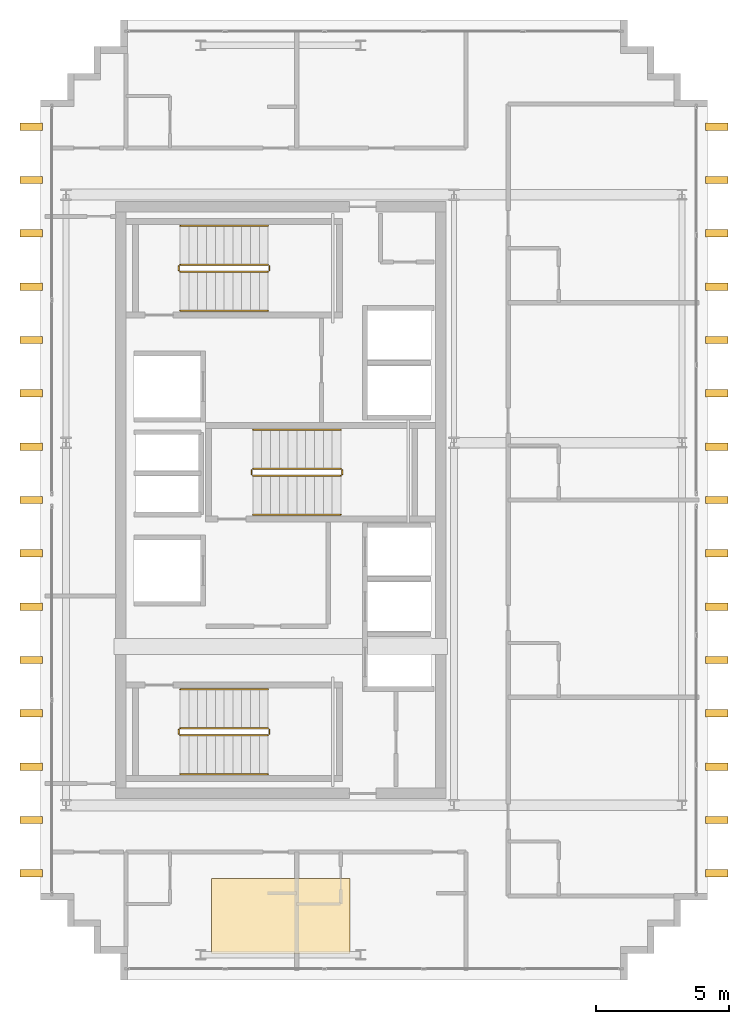
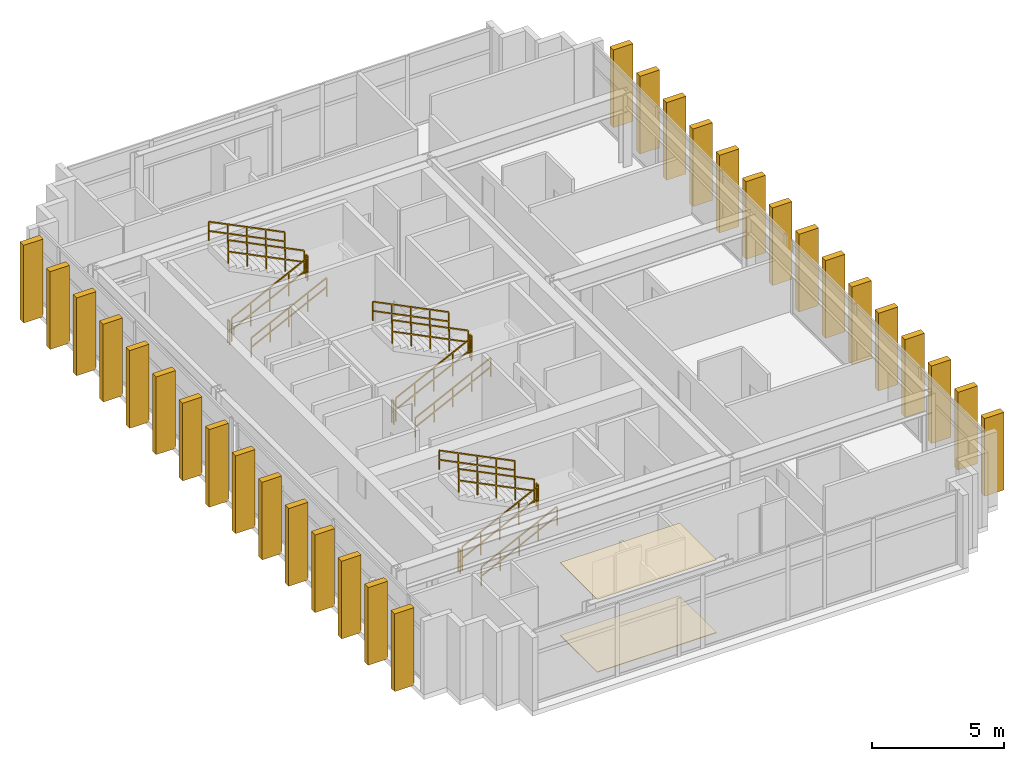
# One storey, part 15 of 15: 30 shading devices, 18 railings, 2 coverings.
"""IFC4 building model written with IfcOpenShell, lengths in metres."""

from ifc_helpers import new_model, si_unit, direction, frame, origin, origin_2d, place, context, subcontext, project, spatial, polyline, rectangle, outline, extrude, source, transform, mapped, material, layer, layer_set, type_object, element, save


model = new_model("IFC4")

# Units and contexts
model_context = context("Model", 3, precision=1e-05, world=origin(), true_north=direction((0.0, 1.0)))
body_context = subcontext(model_context, "Body", "Model", "MODEL_VIEW")
ifc_project = project(units=[si_unit("LENGTHUNIT", "METRE"), si_unit("AREAUNIT", "SQUARE_METRE"), si_unit("VOLUMEUNIT", "CUBIC_METRE"), si_unit("PLANEANGLEUNIT", "RADIAN"), si_unit("MASSUNIT", "GRAM", prefix="KILO")], contexts=[model_context])

# Site, building, storey
site_placement = place(None, origin())
site = spatial("IfcSite", under=ifc_project, at=site_placement, CompositionType="ELEMENT")
building_placement = place(site_placement, origin())
building = spatial("IfcBuilding", under=site, at=building_placement, Name="Ocotamira Hotel", CompositionType="ELEMENT")
storey_placement = place(building_placement, frame((0.0, 0.0, 283.199951171875)))
storey = spatial("IfcBuildingStorey", under=building, at=storey_placement, Name="L72", CompositionType="ELEMENT", Elevation=283.199951171875)

# Coverings
ifc_material_1 = material(Name="Perforated acoustic gypsum ceiling board", Category="gypsum")
ifc_layer_1 = layer(ifc_material_1, 0.02490234375)
ifc_layer_set_1 = layer_set([ifc_layer_1], Name="Perforated acoustic gypsum ceiling board")
covering_type_1 = type_object("IfcCoveringType", Name="COV-CEIL-25", PredefinedType="CEILING", material=ifc_layer_set_1)
covering_1_placement = place(storey_placement, frame((0.0, 0.0, 3.35498046875)))
element("IfcCovering", 1, at=covering_1_placement, inside=storey, type_object=covering_type_1, Name="L72 Acoustic Ceiling", PredefinedType="CEILING", context=body_context, shape_type="SweptSolid", body=[
    extrude(outline(polyline([(14.39990234375, 9.0), (19.60009765625, 9.0), (19.60009765625, 11.800048828125), (14.39990234375, 11.800048828125), (14.39990234375, 9.0)])), origin(), (0.0, 0.0, 1.0), 0.025146484375),
])
ifc_material_2 = material(Name="Honed desert travertine stone flooring", Category="masonry")
ifc_layer_2 = layer(ifc_material_2, 0.030029296875)
ifc_layer_set_2 = layer_set([ifc_layer_2], Name="Honed desert travertine stone flooring")
covering_type_2 = type_object("IfcCoveringType", Name="COV-FLOR-30", PredefinedType="FLOORING", material=ifc_layer_set_2)
covering_2_placement = place(storey_placement, origin())
element("IfcCovering", 2, at=covering_2_placement, inside=storey, type_object=covering_type_2, Name="L72 Honed Stone Floor Finish", PredefinedType="FLOORING", context=body_context, shape_type="SweptSolid", body=[
    extrude(outline(polyline([(14.39990234375, 9.0), (19.60009765625, 9.0), (19.60009765625, 11.800048828125), (14.39990234375, 11.800048828125), (14.39990234375, 9.0)])), origin(), (0.0, 0.0, 1.0), 0.030029296875),
])

# Railings
ifc_material_3 = material(Name="Brushed stainless steel handrail", Category="steel")
railing_type_1 = type_object("IfcRailingType", Name="RL-HAND-900", PredefinedType="HANDRAIL", material=ifc_material_3)
railing_1_placement = place(storey_placement, frame((13.22998046875, 15.719970703125, 0.327392578125)))
element("IfcRailing", 3, at=railing_1_placement, inside=storey, type_object=railing_type_1, Name="L72 ST-1 stair handrail 1", PredefinedType="HANDRAIL", context=body_context, shape_type="SweptSolid", body=[
    extrude(rectangle(XDim=0.048095703125, YDim=0.048095703125, at=origin_2d()), frame((0.0, 0.0, 0.8759765625), z_axis=(0.895920123917, 0.0, 0.444215186098), x_axis=(0.0, 1.0, 0.0)), (0.0, 0.0, 1.0), 3.683349609375),
    extrude(rectangle(XDim=0.048095703125, YDim=0.048095703125, at=origin_2d()), frame((0.0, 0.0, 0.449951171875), z_axis=(0.895920123917, 0.0, 0.444215186098), x_axis=(0.0, 1.0, 0.0)), (0.0, 0.0, 1.0), 3.683349609375),
    extrude(rectangle(XDim=0.0419921875, YDim=0.0419921875, at=origin_2d()), origin(), (0.0, 0.0, 1.0), 0.851806640625),
    extrude(rectangle(XDim=0.0419921875, YDim=0.0419921875, at=origin_2d()), frame((0.824951171875, 0.0, 0.4091796875)), (0.0, 0.0, 1.0), 0.851806640625),
    extrude(rectangle(XDim=0.0419921875, YDim=0.0419921875, at=origin_2d()), frame((1.64990234375, 0.0, 0.818115234375)), (0.0, 0.0, 1.0), 0.851806640625),
    extrude(rectangle(XDim=0.0419921875, YDim=0.0419921875, at=origin_2d()), frame((2.47509765625, 0.0, 1.22705078125)), (0.0, 0.0, 1.0), 0.851806640625),
    extrude(rectangle(XDim=0.0419921875, YDim=0.0419921875, at=origin_2d()), frame((3.300048828125, 0.0, 1.63623046875)), (0.0, 0.0, 1.0), 0.851806640625),
])
railing_2_placement = place(storey_placement, frame((16.530029296875, 18.89990234375, 2.12744140625)))
element("IfcRailing", 4, at=railing_2_placement, inside=storey, type_object=railing_type_1, Name="L72 ST-1 stair handrail 2", PredefinedType="HANDRAIL", context=body_context, shape_type="SweptSolid", body=[
    extrude(rectangle(XDim=0.048095703125, YDim=0.048095703125, at=origin_2d()), frame((0.0, 0.0, 0.8759765625), z_axis=(-0.895920123917, 0.0, 0.444215186098), x_axis=(0.0, -1.0, 0.0)), (0.0, 0.0, 1.0), 3.683349609375),
    extrude(rectangle(XDim=0.048095703125, YDim=0.048095703125, at=origin_2d()), frame((0.0, 0.0, 0.449951171875), z_axis=(-0.895920123917, 0.0, 0.444215186098), x_axis=(0.0, -1.0, 0.0)), (0.0, 0.0, 1.0), 3.683349609375),
    extrude(rectangle(XDim=0.0419921875, YDim=0.0419921875, at=origin_2d()), origin(), (0.0, 0.0, 1.0), 0.851806640625),
    extrude(rectangle(XDim=0.0419921875, YDim=0.0419921875, at=origin_2d()), frame((-0.824951171875, 0.0, 0.4091796875)), (0.0, 0.0, 1.0), 0.851806640625),
    extrude(rectangle(XDim=0.0419921875, YDim=0.0419921875, at=origin_2d()), frame((-1.64990234375, 0.0, 0.818115234375)), (0.0, 0.0, 1.0), 0.851806640625),
    extrude(rectangle(XDim=0.0419921875, YDim=0.0419921875, at=origin_2d()), frame((-2.47509765625, 0.0, 1.22705078125)), (0.0, 0.0, 1.0), 0.851806640625),
    extrude(rectangle(XDim=0.0419921875, YDim=0.0419921875, at=origin_2d()), frame((-3.300048828125, 0.0, 1.63623046875)), (0.0, 0.0, 1.0), 0.851806640625),
])
railing_3_placement = place(storey_placement, frame((13.22998046875, 33.10009765625, 0.327392578125)))
element("IfcRailing", 5, at=railing_3_placement, inside=storey, type_object=railing_type_1, Name="L72 ST-2 stair handrail 1", PredefinedType="HANDRAIL", context=body_context, shape_type="SweptSolid", body=[
    extrude(rectangle(XDim=0.048095703125, YDim=0.048095703125, at=origin_2d()), frame((0.0, 0.0, 0.8759765625), z_axis=(0.895920123917, 0.0, 0.444215186098), x_axis=(0.0, 1.0, 0.0)), (0.0, 0.0, 1.0), 3.683349609375),
    extrude(rectangle(XDim=0.048095703125, YDim=0.048095703125, at=origin_2d()), frame((0.0, 0.0, 0.449951171875), z_axis=(0.895920123917, 0.0, 0.444215186098), x_axis=(0.0, 1.0, 0.0)), (0.0, 0.0, 1.0), 3.683349609375),
    extrude(rectangle(XDim=0.0419921875, YDim=0.0419921875, at=origin_2d()), origin(), (0.0, 0.0, 1.0), 0.851806640625),
    extrude(rectangle(XDim=0.0419921875, YDim=0.0419921875, at=origin_2d()), frame((0.824951171875, 0.0, 0.4091796875)), (0.0, 0.0, 1.0), 0.851806640625),
    extrude(rectangle(XDim=0.0419921875, YDim=0.0419921875, at=origin_2d()), frame((1.64990234375, 0.0, 0.818115234375)), (0.0, 0.0, 1.0), 0.851806640625),
    extrude(rectangle(XDim=0.0419921875, YDim=0.0419921875, at=origin_2d()), frame((2.47509765625, 0.0, 1.22705078125)), (0.0, 0.0, 1.0), 0.851806640625),
    extrude(rectangle(XDim=0.0419921875, YDim=0.0419921875, at=origin_2d()), frame((3.300048828125, 0.0, 1.63623046875)), (0.0, 0.0, 1.0), 0.851806640625),
])
railing_4_placement = place(storey_placement, frame((16.530029296875, 36.280029296875, 2.12744140625)))
element("IfcRailing", 6, at=railing_4_placement, inside=storey, type_object=railing_type_1, Name="L72 ST-2 stair handrail 2", PredefinedType="HANDRAIL", context=body_context, shape_type="SweptSolid", body=[
    extrude(rectangle(XDim=0.048095703125, YDim=0.048095703125, at=origin_2d()), frame((0.0, 0.0, 0.8759765625), z_axis=(-0.895920123917, 0.0, 0.444215186098), x_axis=(0.0, -1.0, 0.0)), (0.0, 0.0, 1.0), 3.683349609375),
    extrude(rectangle(XDim=0.048095703125, YDim=0.048095703125, at=origin_2d()), frame((0.0, 0.0, 0.449951171875), z_axis=(-0.895920123917, 0.0, 0.444215186098), x_axis=(0.0, -1.0, 0.0)), (0.0, 0.0, 1.0), 3.683349609375),
    extrude(rectangle(XDim=0.0419921875, YDim=0.0419921875, at=origin_2d()), origin(), (0.0, 0.0, 1.0), 0.851806640625),
    extrude(rectangle(XDim=0.0419921875, YDim=0.0419921875, at=origin_2d()), frame((-0.824951171875, 0.0, 0.4091796875)), (0.0, 0.0, 1.0), 0.851806640625),
    extrude(rectangle(XDim=0.0419921875, YDim=0.0419921875, at=origin_2d()), frame((-1.64990234375, 0.0, 0.818115234375)), (0.0, 0.0, 1.0), 0.851806640625),
    extrude(rectangle(XDim=0.0419921875, YDim=0.0419921875, at=origin_2d()), frame((-2.47509765625, 0.0, 1.22705078125)), (0.0, 0.0, 1.0), 0.851806640625),
    extrude(rectangle(XDim=0.0419921875, YDim=0.0419921875, at=origin_2d()), frame((-3.300048828125, 0.0, 1.63623046875)), (0.0, 0.0, 1.0), 0.851806640625),
])
railing_5_placement = place(storey_placement, frame((15.9599609375, 25.449951171875, 0.327392578125)))
element("IfcRailing", 7, at=railing_5_placement, inside=storey, type_object=railing_type_1, Name="L72 ST-3 stair handrail 1", PredefinedType="HANDRAIL", context=body_context, shape_type="SweptSolid", body=[
    extrude(rectangle(XDim=0.048095703125, YDim=0.048095703125, at=origin_2d()), frame((0.0, 0.0, 0.8759765625), z_axis=(0.895920123917, 0.0, 0.444215186098), x_axis=(0.0, 1.0, 0.0)), (0.0, 0.0, 1.0), 3.683349609375),
    extrude(rectangle(XDim=0.048095703125, YDim=0.048095703125, at=origin_2d()), frame((0.0, 0.0, 0.449951171875), z_axis=(0.895920123917, 0.0, 0.444215186098), x_axis=(0.0, 1.0, 0.0)), (0.0, 0.0, 1.0), 3.683349609375),
    extrude(rectangle(XDim=0.0419921875, YDim=0.0419921875, at=origin_2d()), origin(), (0.0, 0.0, 1.0), 0.851806640625),
    extrude(rectangle(XDim=0.0419921875, YDim=0.0419921875, at=origin_2d()), frame((0.824951171875, 0.0, 0.4091796875)), (0.0, 0.0, 1.0), 0.851806640625),
    extrude(rectangle(XDim=0.0419921875, YDim=0.0419921875, at=origin_2d()), frame((1.64990234375, 0.0, 0.818115234375)), (0.0, 0.0, 1.0), 0.851806640625),
    extrude(rectangle(XDim=0.0419921875, YDim=0.0419921875, at=origin_2d()), frame((2.47509765625, 0.0, 1.22705078125)), (0.0, 0.0, 1.0), 0.851806640625),
    extrude(rectangle(XDim=0.0419921875, YDim=0.0419921875, at=origin_2d()), frame((3.300048828125, 0.0, 1.63623046875)), (0.0, 0.0, 1.0), 0.851806640625),
])
railing_6_placement = place(storey_placement, frame((19.260009765625, 28.6298828125, 2.12744140625)))
element("IfcRailing", 8, at=railing_6_placement, inside=storey, type_object=railing_type_1, Name="L72 ST-3 stair handrail 2", PredefinedType="HANDRAIL", context=body_context, shape_type="SweptSolid", body=[
    extrude(rectangle(XDim=0.048095703125, YDim=0.048095703125, at=origin_2d()), frame((0.0, 0.0, 0.8759765625), z_axis=(-0.895920123917, 0.0, 0.444215186098), x_axis=(0.0, -1.0, 0.0)), (0.0, 0.0, 1.0), 3.683349609375),
    extrude(rectangle(XDim=0.048095703125, YDim=0.048095703125, at=origin_2d()), frame((0.0, 0.0, 0.449951171875), z_axis=(-0.895920123917, 0.0, 0.444215186098), x_axis=(0.0, -1.0, 0.0)), (0.0, 0.0, 1.0), 3.683349609375),
    extrude(rectangle(XDim=0.0419921875, YDim=0.0419921875, at=origin_2d()), origin(), (0.0, 0.0, 1.0), 0.851806640625),
    extrude(rectangle(XDim=0.0419921875, YDim=0.0419921875, at=origin_2d()), frame((-0.824951171875, 0.0, 0.4091796875)), (0.0, 0.0, 1.0), 0.851806640625),
    extrude(rectangle(XDim=0.0419921875, YDim=0.0419921875, at=origin_2d()), frame((-1.64990234375, 0.0, 0.818115234375)), (0.0, 0.0, 1.0), 0.851806640625),
    extrude(rectangle(XDim=0.0419921875, YDim=0.0419921875, at=origin_2d()), frame((-2.47509765625, 0.0, 1.22705078125)), (0.0, 0.0, 1.0), 0.851806640625),
    extrude(rectangle(XDim=0.0419921875, YDim=0.0419921875, at=origin_2d()), frame((-3.300048828125, 0.0, 1.63623046875)), (0.0, 0.0, 1.0), 0.851806640625),
])
ifc_material_4 = material(Name="Painted steel stair guardrail", Category="steel")
railing_type_2 = type_object("IfcRailingType", Name="RL-STAIR-1100", PredefinedType="GUARDRAIL", material=ifc_material_4)
railing_7_placement = place(storey_placement, frame((13.22998046875, 17.179931640625, 0.16357421875)))
element("IfcRailing", 9, at=railing_7_placement, inside=storey, type_object=railing_type_2, Name="L72 ST-1 stair guard 1", PredefinedType="GUARDRAIL", context=body_context, shape_type="SweptSolid", body=[
    extrude(rectangle(XDim=0.048095703125, YDim=0.048095703125, at=origin_2d()), frame((0.0, 0.0, 1.076171875), z_axis=(0.895893744519, 0.0, 0.4442683857), x_axis=(0.0, 1.0, 0.0)), (0.0, 0.0, 1.0), 3.68359375),
    extrude(rectangle(XDim=0.048095703125, YDim=0.048095703125, at=origin_2d()), frame((0.0, 0.0, 0.550048828125), z_axis=(0.895893744519, 0.0, 0.4442683857), x_axis=(0.0, 1.0, 0.0)), (0.0, 0.0, 1.0), 3.68359375),
    extrude(rectangle(XDim=0.0419921875, YDim=0.0419921875, at=origin_2d()), origin(), (0.0, 0.0, 1.0), 1.052001953125),
    extrude(rectangle(XDim=0.0419921875, YDim=0.0419921875, at=origin_2d()), frame((0.824951171875, 0.0, 0.4091796875)), (0.0, 0.0, 1.0), 1.052001953125),
    extrude(rectangle(XDim=0.0419921875, YDim=0.0419921875, at=origin_2d()), frame((1.64990234375, 0.0, 0.818359375)), (0.0, 0.0, 1.0), 1.052001953125),
    extrude(rectangle(XDim=0.0419921875, YDim=0.0419921875, at=origin_2d()), frame((2.47509765625, 0.0, 1.227294921875)), (0.0, 0.0, 1.0), 1.052001953125),
    extrude(rectangle(XDim=0.0419921875, YDim=0.0419921875, at=origin_2d()), frame((3.300048828125, 0.0, 1.636474609375)), (0.0, 0.0, 1.0), 1.052001953125),
])
railing_8_placement = place(storey_placement, frame((16.580078125, 17.22998046875, 1.800048828125)))
element("IfcRailing", 10, at=railing_8_placement, inside=storey, type_object=railing_type_2, Name="L72 ST-1 stair guard 2", PredefinedType="GUARDRAIL", context=body_context, shape_type="SweptSolid", body=[
    extrude(rectangle(XDim=0.048095703125, YDim=0.048095703125, at=origin_2d()), frame((0.0, 0.0, 1.076171875), z_axis=(0.0, 1.0, 0.0), x_axis=(-1.0, 0.0, 0.0)), (0.0, 0.0, 1.0), 0.159912109375),
    extrude(rectangle(XDim=0.048095703125, YDim=0.048095703125, at=origin_2d()), frame((0.0, 0.0, 0.550048828125), z_axis=(0.0, 1.0, 0.0), x_axis=(-1.0, 0.0, 0.0)), (0.0, 0.0, 1.0), 0.159912109375),
    extrude(rectangle(XDim=0.0419921875, YDim=0.0419921875, at=origin_2d()), origin(), (0.0, 0.0, 1.0), 1.052001953125),
    extrude(rectangle(XDim=0.0419921875, YDim=0.0419921875, at=origin_2d()), frame((0.0, 0.159912109375, 0.0)), (0.0, 0.0, 1.0), 1.052001953125),
])
railing_9_placement = place(storey_placement, frame((16.530029296875, 17.43994140625, 1.963623046875)))
element("IfcRailing", 11, at=railing_9_placement, inside=storey, type_object=railing_type_2, Name="L72 ST-1 stair guard 3", PredefinedType="GUARDRAIL", context=body_context, shape_type="SweptSolid", body=[
    extrude(rectangle(XDim=0.048095703125, YDim=0.048095703125, at=origin_2d()), frame((0.0, 0.0, 1.076171875), z_axis=(-0.895893744519, 0.0, 0.4442683857), x_axis=(0.0, -1.0, 0.0)), (0.0, 0.0, 1.0), 3.68359375),
    extrude(rectangle(XDim=0.048095703125, YDim=0.048095703125, at=origin_2d()), frame((0.0, 0.0, 0.550048828125), z_axis=(-0.895893744519, 0.0, 0.4442683857), x_axis=(0.0, -1.0, 0.0)), (0.0, 0.0, 1.0), 3.68359375),
    extrude(rectangle(XDim=0.0419921875, YDim=0.0419921875, at=origin_2d()), origin(), (0.0, 0.0, 1.0), 1.052001953125),
    extrude(rectangle(XDim=0.0419921875, YDim=0.0419921875, at=origin_2d()), frame((-0.824951171875, 0.0, 0.4091796875)), (0.0, 0.0, 1.0), 1.052001953125),
    extrude(rectangle(XDim=0.0419921875, YDim=0.0419921875, at=origin_2d()), frame((-1.64990234375, 0.0, 0.818359375)), (0.0, 0.0, 1.0), 1.052001953125),
    extrude(rectangle(XDim=0.0419921875, YDim=0.0419921875, at=origin_2d()), frame((-2.47509765625, 0.0, 1.227294921875)), (0.0, 0.0, 1.0), 1.052001953125),
    extrude(rectangle(XDim=0.0419921875, YDim=0.0419921875, at=origin_2d()), frame((-3.300048828125, 0.0, 1.636474609375)), (0.0, 0.0, 1.0), 1.052001953125),
])
railing_10_placement = place(storey_placement, frame((13.179931640625, 17.22998046875, 0.0)))
element("IfcRailing", 12, at=railing_10_placement, inside=storey, type_object=railing_type_2, Name="L72 ST-1 stair guard 4", PredefinedType="GUARDRAIL", context=body_context, shape_type="SweptSolid", body=[
    extrude(rectangle(XDim=0.048095703125, YDim=0.048095703125, at=origin_2d()), frame((0.0, 0.0, 1.076171875), z_axis=(0.0, 1.0, 0.0), x_axis=(-1.0, 0.0, 0.0)), (0.0, 0.0, 1.0), 0.159912109375),
    extrude(rectangle(XDim=0.048095703125, YDim=0.048095703125, at=origin_2d()), frame((0.0, 0.0, 0.550048828125), z_axis=(0.0, 1.0, 0.0), x_axis=(-1.0, 0.0, 0.0)), (0.0, 0.0, 1.0), 0.159912109375),
    extrude(rectangle(XDim=0.0419921875, YDim=0.0419921875, at=origin_2d()), origin(), (0.0, 0.0, 1.0), 1.052001953125),
    extrude(rectangle(XDim=0.0419921875, YDim=0.0419921875, at=origin_2d()), frame((0.0, 0.159912109375, 0.0)), (0.0, 0.0, 1.0), 1.052001953125),
])
railing_11_placement = place(storey_placement, frame((13.22998046875, 34.56005859375, 0.16357421875)))
element("IfcRailing", 13, at=railing_11_placement, inside=storey, type_object=railing_type_2, Name="L72 ST-2 stair guard 1", PredefinedType="GUARDRAIL", context=body_context, shape_type="SweptSolid", body=[
    extrude(rectangle(XDim=0.048095703125, YDim=0.048095703125, at=origin_2d()), frame((0.0, 0.0, 1.076171875), z_axis=(0.895893744519, 0.0, 0.4442683857), x_axis=(0.0, 1.0, 0.0)), (0.0, 0.0, 1.0), 3.68359375),
    extrude(rectangle(XDim=0.048095703125, YDim=0.048095703125, at=origin_2d()), frame((0.0, 0.0, 0.550048828125), z_axis=(0.895893744519, 0.0, 0.4442683857), x_axis=(0.0, 1.0, 0.0)), (0.0, 0.0, 1.0), 3.68359375),
    extrude(rectangle(XDim=0.0419921875, YDim=0.0419921875, at=origin_2d()), origin(), (0.0, 0.0, 1.0), 1.052001953125),
    extrude(rectangle(XDim=0.0419921875, YDim=0.0419921875, at=origin_2d()), frame((0.824951171875, 0.0, 0.4091796875)), (0.0, 0.0, 1.0), 1.052001953125),
    extrude(rectangle(XDim=0.0419921875, YDim=0.0419921875, at=origin_2d()), frame((1.64990234375, 0.0, 0.818359375)), (0.0, 0.0, 1.0), 1.052001953125),
    extrude(rectangle(XDim=0.0419921875, YDim=0.0419921875, at=origin_2d()), frame((2.47509765625, 0.0, 1.227294921875)), (0.0, 0.0, 1.0), 1.052001953125),
    extrude(rectangle(XDim=0.0419921875, YDim=0.0419921875, at=origin_2d()), frame((3.300048828125, 0.0, 1.636474609375)), (0.0, 0.0, 1.0), 1.052001953125),
])
railing_12_placement = place(storey_placement, frame((16.580078125, 34.610107421875, 1.800048828125)))
element("IfcRailing", 14, at=railing_12_placement, inside=storey, type_object=railing_type_2, Name="L72 ST-2 stair guard 2", PredefinedType="GUARDRAIL", context=body_context, shape_type="SweptSolid", body=[
    extrude(rectangle(XDim=0.048095703125, YDim=0.048095703125, at=origin_2d()), frame((0.0, 0.0, 1.076171875), z_axis=(0.0, 1.0, 0.0), x_axis=(-1.0, 0.0, 0.0)), (0.0, 0.0, 1.0), 0.159912109375),
    extrude(rectangle(XDim=0.048095703125, YDim=0.048095703125, at=origin_2d()), frame((0.0, 0.0, 0.550048828125), z_axis=(0.0, 1.0, 0.0), x_axis=(-1.0, 0.0, 0.0)), (0.0, 0.0, 1.0), 0.159912109375),
    extrude(rectangle(XDim=0.0419921875, YDim=0.0419921875, at=origin_2d()), origin(), (0.0, 0.0, 1.0), 1.052001953125),
    extrude(rectangle(XDim=0.0419921875, YDim=0.0419921875, at=origin_2d()), frame((0.0, 0.159912109375, 0.0)), (0.0, 0.0, 1.0), 1.052001953125),
])
railing_13_placement = place(storey_placement, frame((16.530029296875, 34.820068359375, 1.963623046875)))
element("IfcRailing", 15, at=railing_13_placement, inside=storey, type_object=railing_type_2, Name="L72 ST-2 stair guard 3", PredefinedType="GUARDRAIL", context=body_context, shape_type="SweptSolid", body=[
    extrude(rectangle(XDim=0.048095703125, YDim=0.048095703125, at=origin_2d()), frame((0.0, 0.0, 1.076171875), z_axis=(-0.895893744519, 0.0, 0.4442683857), x_axis=(0.0, -1.0, 0.0)), (0.0, 0.0, 1.0), 3.68359375),
    extrude(rectangle(XDim=0.048095703125, YDim=0.048095703125, at=origin_2d()), frame((0.0, 0.0, 0.550048828125), z_axis=(-0.895893744519, 0.0, 0.4442683857), x_axis=(0.0, -1.0, 0.0)), (0.0, 0.0, 1.0), 3.68359375),
    extrude(rectangle(XDim=0.0419921875, YDim=0.0419921875, at=origin_2d()), origin(), (0.0, 0.0, 1.0), 1.052001953125),
    extrude(rectangle(XDim=0.0419921875, YDim=0.0419921875, at=origin_2d()), frame((-0.824951171875, 0.0, 0.4091796875)), (0.0, 0.0, 1.0), 1.052001953125),
    extrude(rectangle(XDim=0.0419921875, YDim=0.0419921875, at=origin_2d()), frame((-1.64990234375, 0.0, 0.818359375)), (0.0, 0.0, 1.0), 1.052001953125),
    extrude(rectangle(XDim=0.0419921875, YDim=0.0419921875, at=origin_2d()), frame((-2.47509765625, 0.0, 1.227294921875)), (0.0, 0.0, 1.0), 1.052001953125),
    extrude(rectangle(XDim=0.0419921875, YDim=0.0419921875, at=origin_2d()), frame((-3.300048828125, 0.0, 1.636474609375)), (0.0, 0.0, 1.0), 1.052001953125),
])
railing_14_placement = place(storey_placement, frame((13.179931640625, 34.610107421875, 0.0)))
element("IfcRailing", 16, at=railing_14_placement, inside=storey, type_object=railing_type_2, Name="L72 ST-2 stair guard 4", PredefinedType="GUARDRAIL", context=body_context, shape_type="SweptSolid", body=[
    extrude(rectangle(XDim=0.048095703125, YDim=0.048095703125, at=origin_2d()), frame((0.0, 0.0, 1.076171875), z_axis=(0.0, 1.0, 0.0), x_axis=(-1.0, 0.0, 0.0)), (0.0, 0.0, 1.0), 0.159912109375),
    extrude(rectangle(XDim=0.048095703125, YDim=0.048095703125, at=origin_2d()), frame((0.0, 0.0, 0.550048828125), z_axis=(0.0, 1.0, 0.0), x_axis=(-1.0, 0.0, 0.0)), (0.0, 0.0, 1.0), 0.159912109375),
    extrude(rectangle(XDim=0.0419921875, YDim=0.0419921875, at=origin_2d()), origin(), (0.0, 0.0, 1.0), 1.052001953125),
    extrude(rectangle(XDim=0.0419921875, YDim=0.0419921875, at=origin_2d()), frame((0.0, 0.159912109375, 0.0)), (0.0, 0.0, 1.0), 1.052001953125),
])
railing_15_placement = place(storey_placement, frame((15.9599609375, 26.909912109375, 0.16357421875)))
element("IfcRailing", 17, at=railing_15_placement, inside=storey, type_object=railing_type_2, Name="L72 ST-3 stair guard 1", PredefinedType="GUARDRAIL", context=body_context, shape_type="SweptSolid", body=[
    extrude(rectangle(XDim=0.048095703125, YDim=0.048095703125, at=origin_2d()), frame((0.0, 0.0, 1.076171875), z_axis=(0.895893744519, 0.0, 0.4442683857), x_axis=(0.0, 1.0, 0.0)), (0.0, 0.0, 1.0), 3.68359375),
    extrude(rectangle(XDim=0.048095703125, YDim=0.048095703125, at=origin_2d()), frame((0.0, 0.0, 0.550048828125), z_axis=(0.895893744519, 0.0, 0.4442683857), x_axis=(0.0, 1.0, 0.0)), (0.0, 0.0, 1.0), 3.68359375),
    extrude(rectangle(XDim=0.0419921875, YDim=0.0419921875, at=origin_2d()), origin(), (0.0, 0.0, 1.0), 1.052001953125),
    extrude(rectangle(XDim=0.0419921875, YDim=0.0419921875, at=origin_2d()), frame((0.824951171875, 0.0, 0.4091796875)), (0.0, 0.0, 1.0), 1.052001953125),
    extrude(rectangle(XDim=0.0419921875, YDim=0.0419921875, at=origin_2d()), frame((1.64990234375, 0.0, 0.818359375)), (0.0, 0.0, 1.0), 1.052001953125),
    extrude(rectangle(XDim=0.0419921875, YDim=0.0419921875, at=origin_2d()), frame((2.47509765625, 0.0, 1.227294921875)), (0.0, 0.0, 1.0), 1.052001953125),
    extrude(rectangle(XDim=0.0419921875, YDim=0.0419921875, at=origin_2d()), frame((3.300048828125, 0.0, 1.636474609375)), (0.0, 0.0, 1.0), 1.052001953125),
])
railing_16_placement = place(storey_placement, frame((19.31005859375, 26.9599609375, 1.800048828125)))
element("IfcRailing", 18, at=railing_16_placement, inside=storey, type_object=railing_type_2, Name="L72 ST-3 stair guard 2", PredefinedType="GUARDRAIL", context=body_context, shape_type="SweptSolid", body=[
    extrude(rectangle(XDim=0.048095703125, YDim=0.048095703125, at=origin_2d()), frame((0.0, 0.0, 1.076171875), z_axis=(0.0, 1.0, 0.0), x_axis=(-1.0, 0.0, 0.0)), (0.0, 0.0, 1.0), 0.16015625),
    extrude(rectangle(XDim=0.048095703125, YDim=0.048095703125, at=origin_2d()), frame((0.0, 0.0, 0.550048828125), z_axis=(0.0, 1.0, 0.0), x_axis=(-1.0, 0.0, 0.0)), (0.0, 0.0, 1.0), 0.16015625),
    extrude(rectangle(XDim=0.0419921875, YDim=0.0419921875, at=origin_2d()), origin(), (0.0, 0.0, 1.0), 1.052001953125),
    extrude(rectangle(XDim=0.0419921875, YDim=0.0419921875, at=origin_2d()), frame((0.0, 0.16015625, 0.0)), (0.0, 0.0, 1.0), 1.052001953125),
])
railing_17_placement = place(storey_placement, frame((19.260009765625, 27.169921875, 1.963623046875)))
element("IfcRailing", 19, at=railing_17_placement, inside=storey, type_object=railing_type_2, Name="L72 ST-3 stair guard 3", PredefinedType="GUARDRAIL", context=body_context, shape_type="SweptSolid", body=[
    extrude(rectangle(XDim=0.048095703125, YDim=0.048095703125, at=origin_2d()), frame((0.0, 0.0, 1.076171875), z_axis=(-0.895893744519, 0.0, 0.4442683857), x_axis=(0.0, -1.0, 0.0)), (0.0, 0.0, 1.0), 3.68359375),
    extrude(rectangle(XDim=0.048095703125, YDim=0.048095703125, at=origin_2d()), frame((0.0, 0.0, 0.550048828125), z_axis=(-0.895893744519, 0.0, 0.4442683857), x_axis=(0.0, -1.0, 0.0)), (0.0, 0.0, 1.0), 3.68359375),
    extrude(rectangle(XDim=0.0419921875, YDim=0.0419921875, at=origin_2d()), origin(), (0.0, 0.0, 1.0), 1.052001953125),
    extrude(rectangle(XDim=0.0419921875, YDim=0.0419921875, at=origin_2d()), frame((-0.824951171875, 0.0, 0.4091796875)), (0.0, 0.0, 1.0), 1.052001953125),
    extrude(rectangle(XDim=0.0419921875, YDim=0.0419921875, at=origin_2d()), frame((-1.64990234375, 0.0, 0.818359375)), (0.0, 0.0, 1.0), 1.052001953125),
    extrude(rectangle(XDim=0.0419921875, YDim=0.0419921875, at=origin_2d()), frame((-2.47509765625, 0.0, 1.227294921875)), (0.0, 0.0, 1.0), 1.052001953125),
    extrude(rectangle(XDim=0.0419921875, YDim=0.0419921875, at=origin_2d()), frame((-3.300048828125, 0.0, 1.636474609375)), (0.0, 0.0, 1.0), 1.052001953125),
])
railing_18_placement = place(storey_placement, frame((15.909912109375, 26.9599609375, 0.0)))
element("IfcRailing", 20, at=railing_18_placement, inside=storey, type_object=railing_type_2, Name="L72 ST-3 stair guard 4", PredefinedType="GUARDRAIL", context=body_context, shape_type="SweptSolid", body=[
    extrude(rectangle(XDim=0.048095703125, YDim=0.048095703125, at=origin_2d()), frame((0.0, 0.0, 1.076171875), z_axis=(0.0, 1.0, 0.0), x_axis=(-1.0, 0.0, 0.0)), (0.0, 0.0, 1.0), 0.16015625),
    extrude(rectangle(XDim=0.048095703125, YDim=0.048095703125, at=origin_2d()), frame((0.0, 0.0, 0.550048828125), z_axis=(0.0, 1.0, 0.0), x_axis=(-1.0, 0.0, 0.0)), (0.0, 0.0, 1.0), 0.16015625),
    extrude(rectangle(XDim=0.0419921875, YDim=0.0419921875, at=origin_2d()), origin(), (0.0, 0.0, 1.0), 1.052001953125),
    extrude(rectangle(XDim=0.0419921875, YDim=0.0419921875, at=origin_2d()), frame((0.0, 0.16015625, 0.0)), (0.0, 0.0, 1.0), 1.052001953125),
])

# Shading devices
ifc_material_5 = material(Name="Pale-metal anodised aluminium architectural fin", Category="aluminium")
shading_device_type = type_object("IfcShadingDeviceType", Name="SHD-PIER-850", PredefinedType="USERDEFINED", material=ifc_material_5)
shared_shape = source(origin(), body_context, "Body", "SweptSolid", [
    extrude(rectangle(XDim=0.85009765625, YDim=0.280029296875, at=origin_2d()), origin(), (0.0, 0.0, 1.0), 3.580078125),
])
for number, where, z_axis, x_axis, name in (
    (21, (7.64990234375, 12.0, -0.10009765625), (0.0, 0.0, 1.0), (1.0, 0.0, 0.0), "L72 West Peak Vertical Pier X7 Y12"),
    (22, (33.35009765625, 12.0, -0.10009765625), (0.0, 0.0, 1.0), (1.0, 0.0, 0.0), "L72 West Peak Vertical Pier X33 Y12"),
    (23, (7.64990234375, 14.0, -0.10009765625), (0.0, 0.0, 1.0), (1.0, 0.0, 0.0), "L72 West Peak Vertical Pier X7 Y14"),
    (24, (33.35009765625, 14.0, -0.10009765625), (0.0, 0.0, 1.0), (1.0, 0.0, 0.0), "L72 West Peak Vertical Pier X33 Y14"),
    (25, (7.64990234375, 16.0, -0.10009765625), (0.0, 0.0, 1.0), (1.0, 0.0, 0.0), "L72 West Peak Vertical Pier X7 Y16"),
    (26, (33.35009765625, 16.0, -0.10009765625), (0.0, 0.0, 1.0), (1.0, 0.0, 0.0), "L72 West Peak Vertical Pier X33 Y16"),
    (27, (7.64990234375, 18.0, -0.10009765625), (0.0, 0.0, 1.0), (1.0, 0.0, 0.0), "L72 West Peak Vertical Pier X7 Y18"),
    (28, (33.35009765625, 18.0, -0.10009765625), (0.0, 0.0, 1.0), (1.0, 0.0, 0.0), "L72 West Peak Vertical Pier X33 Y18"),
    (29, (7.64990234375, 20.0, -0.10009765625), (0.0, 0.0, 1.0), (1.0, 0.0, 0.0), "L72 West Peak Vertical Pier X7 Y20"),
    (30, (33.35009765625, 20.0, -0.10009765625), (0.0, 0.0, 1.0), (1.0, 0.0, 0.0), "L72 West Peak Vertical Pier X33 Y20"),
    (31, (7.64990234375, 22.0, -0.10009765625), (0.0, 0.0, 1.0), (1.0, 0.0, 0.0), "L72 West Peak Vertical Pier X7 Y22"),
    (32, (33.35009765625, 22.0, -0.10009765625), (0.0, 0.0, 1.0), (1.0, 0.0, 0.0), "L72 West Peak Vertical Pier X33 Y22"),
    (33, (7.64990234375, 24.0, -0.10009765625), (0.0, 0.0, 1.0), (1.0, 0.0, 0.0), "L72 West Peak Vertical Pier X7 Y24"),
    (34, (33.35009765625, 24.0, -0.10009765625), (0.0, 0.0, 1.0), (1.0, 0.0, 0.0), "L72 West Peak Vertical Pier X33 Y24"),
    (35, (7.64990234375, 26.0, -0.10009765625), (0.0, 0.0, 1.0), (1.0, 0.0, 0.0), "L72 West Peak Vertical Pier X7 Y26"),
    (36, (33.35009765625, 26.0, -0.10009765625), (0.0, 0.0, 1.0), (1.0, 0.0, 0.0), "L72 West Peak Vertical Pier X33 Y26"),
    (37, (7.64990234375, 28.0, -0.10009765625), (0.0, 0.0, 1.0), (1.0, 0.0, 0.0), "L72 West Peak Vertical Pier X7 Y28"),
    (38, (33.35009765625, 28.0, -0.10009765625), (0.0, 0.0, 1.0), (1.0, 0.0, 0.0), "L72 West Peak Vertical Pier X33 Y28"),
    (39, (7.64990234375, 30.0, -0.10009765625), (0.0, 0.0, 1.0), (1.0, 0.0, 0.0), "L72 West Peak Vertical Pier X7 Y30"),
    (40, (33.35009765625, 30.0, -0.10009765625), (0.0, 0.0, 1.0), (1.0, 0.0, 0.0), "L72 West Peak Vertical Pier X33 Y30"),
    (41, (7.64990234375, 32.0, -0.10009765625), (0.0, 0.0, 1.0), (1.0, 0.0, 0.0), "L72 West Peak Vertical Pier X7 Y32"),
    (42, (33.35009765625, 32.0, -0.10009765625), (0.0, 0.0, 1.0), (1.0, 0.0, 0.0), "L72 West Peak Vertical Pier X33 Y32"),
    (43, (7.64990234375, 34.0, -0.10009765625), (0.0, 0.0, 1.0), (1.0, 0.0, 0.0), "L72 West Peak Vertical Pier X7 Y34"),
    (44, (33.35009765625, 34.0, -0.10009765625), (0.0, 0.0, 1.0), (1.0, 0.0, 0.0), "L72 West Peak Vertical Pier X33 Y34"),
    (45, (7.64990234375, 36.0, -0.10009765625), (0.0, 0.0, 1.0), (1.0, 0.0, 0.0), "L72 West Peak Vertical Pier X7 Y36"),
    (46, (33.35009765625, 36.0, -0.10009765625), (0.0, 0.0, 1.0), (1.0, 0.0, 0.0), "L72 West Peak Vertical Pier X33 Y36"),
    (47, (7.64990234375, 38.0, -0.10009765625), (0.0, 0.0, 1.0), (1.0, 0.0, 0.0), "L72 West Peak Vertical Pier X7 Y38"),
    (48, (33.35009765625, 38.0, -0.10009765625), (0.0, 0.0, 1.0), (1.0, 0.0, 0.0), "L72 West Peak Vertical Pier X33 Y38"),
    (49, (7.64990234375, 40.0, -0.10009765625), (0.0, 0.0, 1.0), (1.0, 0.0, 0.0), "L72 West Peak Vertical Pier X7 Y40"),
    (50, (33.35009765625, 40.0, -0.10009765625), (0.0, 0.0, 1.0), (1.0, 0.0, 0.0), "L72 West Peak Vertical Pier X33 Y40"),
):
    element("IfcShadingDevice", number, at=place(storey_placement, frame(where, z_axis=z_axis, x_axis=x_axis)), inside=storey, type_object=shading_device_type, Name=name, ObjectType="FIN", PredefinedType="USERDEFINED", context=body_context, shape_type="MappedRepresentation", body=[
        mapped(shared_shape, transform((0.0, 0.0, 0.0), scale=1.0)),
    ])

save(model, "model.ifc")
